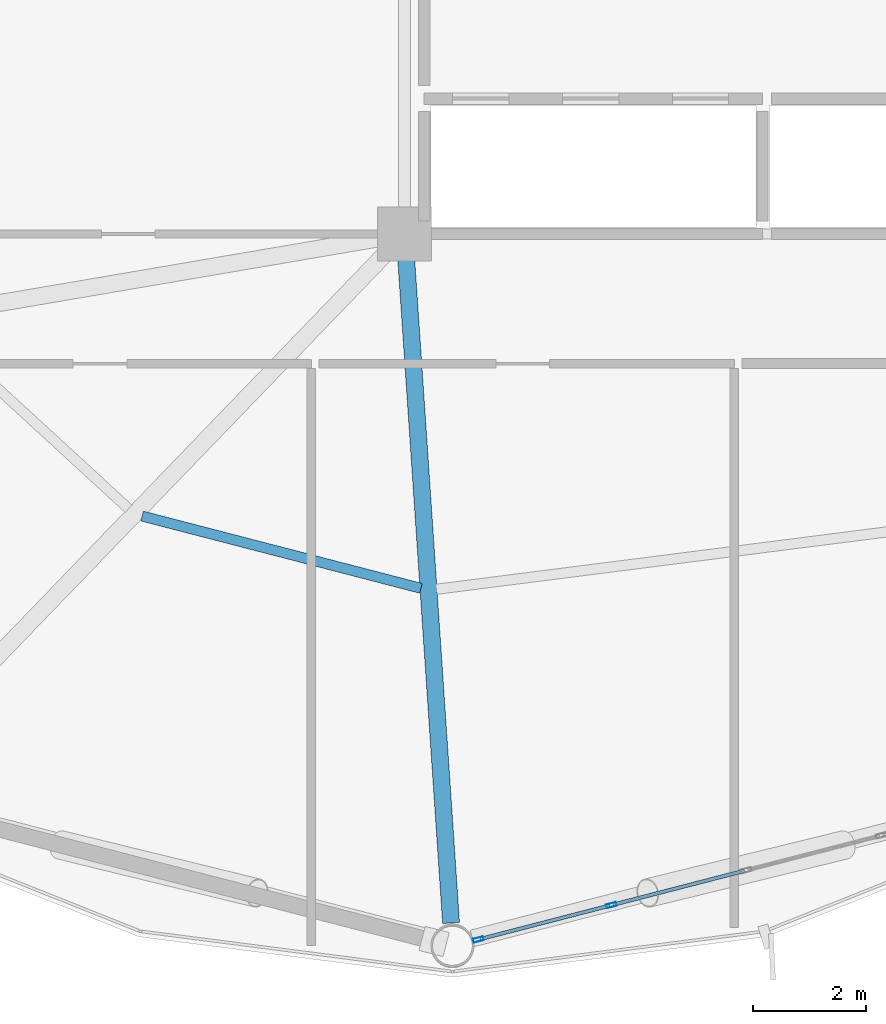
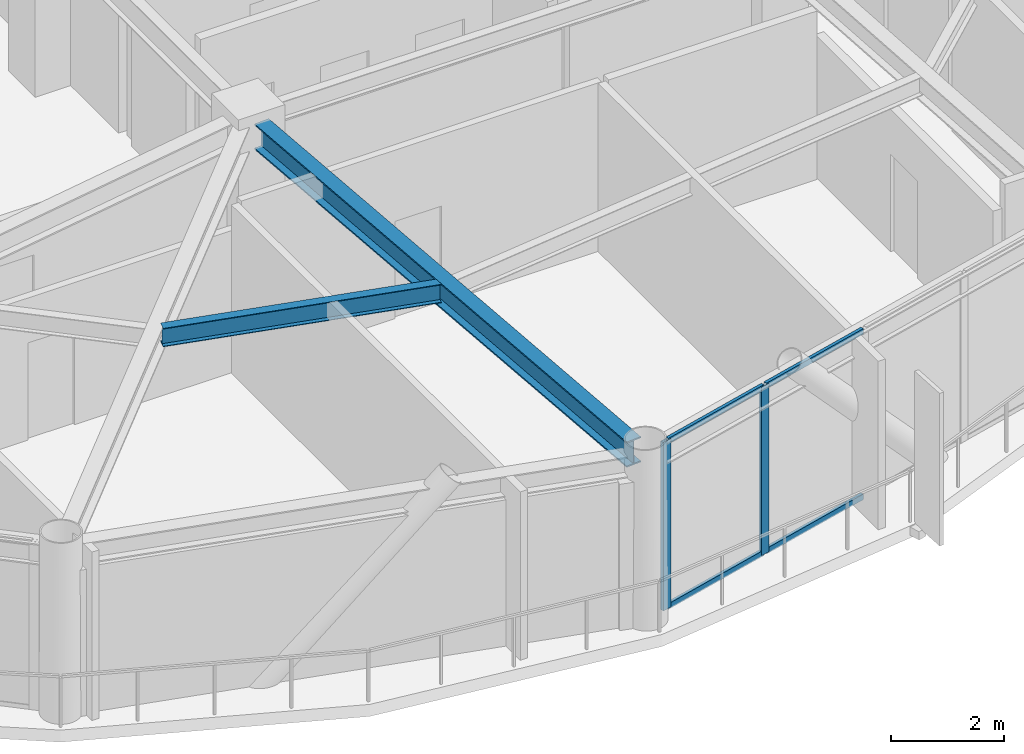
# One storey, part 7 of 26: 6 members, 2 beams, 1 element without a shape of its own.
"""IFC4 building model written with IfcOpenShell, lengths in metres."""

from ifc_helpers import new_model, si_unit, direction, frame, origin, origin_2d, place, context, subcontext, project, spatial, hollow_rectangle, i_section, extrude, material, layer, layer_set, material_profile, profile_set, type_object, element, aggregate, save


model = new_model("IFC4")

# Units and contexts
model_context = context("Model", 3, precision=1e-05, world=origin(), true_north=direction((0.0, 1.0)))
body_context = subcontext(model_context, "Body", "Model", "MODEL_VIEW")
ifc_project = project(units=[si_unit("LENGTHUNIT", "METRE"), si_unit("AREAUNIT", "SQUARE_METRE"), si_unit("VOLUMEUNIT", "CUBIC_METRE"), si_unit("PLANEANGLEUNIT", "RADIAN"), si_unit("MASSUNIT", "GRAM", prefix="KILO")], contexts=[model_context])

# Site, building, storey
site_placement = place(None, origin())
site = spatial("IfcSite", under=ifc_project, at=site_placement, CompositionType="ELEMENT")
building_placement = place(site_placement, origin())
building = spatial("IfcBuilding", under=site, at=building_placement, Name="Varnakorn Sky Granary", CompositionType="ELEMENT")
storey_placement = place(building_placement, frame((0.0, 0.0, 138.300048828125)))
storey = spatial("IfcBuildingStorey", under=building, at=storey_placement, Name="L34", CompositionType="ELEMENT", Elevation=138.300048828125)

# Beams
ifc_material_1 = material(Name="Steel S355JR", Category="steel")
ifc_material_profile_1 = material_profile(ifc_material_1, i_section(OverallWidth=0.300048828125, OverallDepth=0.550048828125, WebThickness=0.014892578125, FlangeThickness=0.029052734375, at=origin_2d()), Name="HE 550 B")
ifc_profile_set_1 = profile_set([ifc_material_profile_1], Name="Steel S355JR")
beam_type_1 = type_object("IfcBeamType", Name="BM-RAD-Z3", PredefinedType="BEAM", material=ifc_profile_set_1)
beam_1_placement = place(storey_placement, frame((-2.32177734375, -7.01904296875, 3.364990234375), z_axis=(0.067405526481, -0.997725661191, 0.0), x_axis=(0.997725661191, 0.067405526481, 0.0)))
element("IfcBeam", 1, at=beam_1_placement, inside=storey, type_object=beam_type_1, Name="Radial Floor Girder RG10 L34", PredefinedType="BEAM", context=body_context, shape_type="SweptSolid", body=[
    extrude(i_section(OverallWidth=0.300048828125, OverallDepth=0.550048828125, WebThickness=0.014892578125, FlangeThickness=0.029052734375, at=origin_2d()), origin(), (0.0, 0.0, 1.0), 11.82568359375),
])
ifc_material_profile_2 = material_profile(ifc_material_1, i_section(OverallWidth=0.179931640625, OverallDepth=0.39990234375, WebThickness=0.008544921875, FlangeThickness=0.013427734375, at=origin_2d()), Name="IPE 400")
ifc_profile_set_2 = profile_set([ifc_material_profile_2], Name="Steel S355JR")
beam_type_2 = type_object("IfcBeamType", Name="BM-SEC-Z3", PredefinedType="BEAM", material=ifc_profile_set_2)
beam_2_placement = place(storey_placement, frame((-7.003662109375, -11.6025390625, 3.43994140625), z_axis=(0.968058361837, -0.250724965006, 0.0), x_axis=(0.250724965006, 0.968058361837, 0.0)))
element("IfcBeam", 2, at=beam_2_placement, inside=storey, type_object=beam_type_2, Name="Secondary Floor Chord Beam MSB09 L34", PredefinedType="BEAM", context=body_context, shape_type="SweptSolid", body=[
    extrude(i_section(OverallWidth=0.179931640625, OverallDepth=0.39990234375, WebThickness=0.008544921875, FlangeThickness=0.013427734375, at=origin_2d()), origin(), (0.0, 0.0, 1.0), 5.108154296875),
])

# Curtain wall, members
ifc_material_2 = material(Name="Anodised Bronze Aluminium Alloy 6063-T6", Category="aluminium")
ifc_layer = layer(ifc_material_2, 0.179931640625, Name="Anodised Bronze Aluminium Alloy 6063-T6")
ifc_layer_set = layer_set([ifc_layer], Name="Anodised Bronze Aluminium Alloy 6063-T6")
curtain_wall_type = type_object("IfcCurtainWallType", Name="CW-FRM-2", PredefinedType="USERDEFINED", material=ifc_layer_set)
curtain_wall_placement = place(storey_placement, origin())
curtain_wall = element("IfcCurtainWall", 3, at=curtain_wall_placement, inside=storey, type_object=curtain_wall_type, Name="Unitised Curtain Wall CW4 CW-L34-B10", ObjectType="CURTAIN WALL", PredefinedType="USERDEFINED")
ifc_material_profile_3 = material_profile(ifc_material_2, hollow_rectangle(XDim=0.070068359375, YDim=0.18505859375, WallThickness=0.00390625, at=origin_2d()), Name="ALU MULL 70x185")
ifc_profile_set_3 = profile_set([ifc_material_profile_3], Name="Anodised Bronze Aluminium Alloy 6063-T6")
member_type_1 = type_object("IfcMemberType", Name="CW-FRM-2-MULL", PredefinedType="MULLION", material=ifc_profile_set_3)
member_1_placement = place(storey_placement, frame((1.319580078125, -18.50244140625, 0.0), z_axis=(0.0, 0.0, 1.0), x_axis=(0.250174194808, -0.968200842931, 0.0)))
member_1 = element("IfcMember", 4, at=member_1_placement, type_object=member_type_1, Name="CW4 mullion 4", PredefinedType="MULLION", context=body_context, shape_type="SweptSolid", body=[
    extrude(hollow_rectangle(XDim=0.070068359375, YDim=0.18505859375, WallThickness=0.00390625, at=origin_2d()), origin(), (0.0, 0.0, 1.0), 3.639892578125),
])
member_2_placement = place(storey_placement, frame((-1.0390625, -19.112060546875, 0.0), z_axis=(0.0, 0.0, 1.0), x_axis=(0.250174194808, -0.968200842931, 0.0)))
member_2 = element("IfcMember", 5, at=member_2_placement, type_object=member_type_1, Name="CW4 mullion 5", PredefinedType="MULLION", context=body_context, shape_type="SweptSolid", body=[
    extrude(hollow_rectangle(XDim=0.070068359375, YDim=0.18505859375, WallThickness=0.00390625, at=origin_2d()), origin(), (0.0, 0.0, 1.0), 3.639892578125),
])
ifc_material_profile_4 = material_profile(ifc_material_2, hollow_rectangle(XDim=0.06494140625, YDim=0.1201171875, WallThickness=0.00341796875, at=origin_2d()), Name="ALU TRAN 65x120")
ifc_profile_set_4 = profile_set([ifc_material_profile_4], Name="Anodised Bronze Aluminium Alloy 6063-T6")
member_type_2 = type_object("IfcMemberType", Name="CW-FRM-2-TRAN", PredefinedType="USERDEFINED", material=ifc_profile_set_4)
member_3_placement = place(storey_placement, frame((3.67822265625, -17.89306640625, 0.032470703125), z_axis=(-0.968216986994, -0.250111707236, 0.0), x_axis=(0.250111707236, -0.968216986994, 0.0)))
member_3 = element("IfcMember", 6, at=member_3_placement, type_object=member_type_2, Name="CW4 transom 3.1", ObjectType="TRANSOM", PredefinedType="USERDEFINED", context=body_context, shape_type="SweptSolid", body=[
    extrude(hollow_rectangle(XDim=0.06494140625, YDim=0.1201171875, WallThickness=0.00341796875, at=origin_2d()), origin(), (0.0, 0.0, 1.0), 2.4013671875),
])
member_4_placement = place(storey_placement, frame((3.67822265625, -17.89306640625, 3.607421875), z_axis=(-0.968216986994, -0.250111707236, 0.0), x_axis=(0.250111707236, -0.968216986994, 0.0)))
member_4 = element("IfcMember", 7, at=member_4_placement, type_object=member_type_2, Name="CW4 transom 3.2", ObjectType="TRANSOM", PredefinedType="USERDEFINED", context=body_context, shape_type="SweptSolid", body=[
    extrude(hollow_rectangle(XDim=0.06494140625, YDim=0.1201171875, WallThickness=0.00341796875, at=origin_2d()), origin(), (0.0, 0.0, 1.0), 2.4013671875),
])
member_5_placement = place(storey_placement, frame((1.28564453125, -18.51123046875, 0.032470703125), z_axis=(-0.968187868025, -0.250224403705, 0.0), x_axis=(0.250224403705, -0.968187868025, 0.0)))
member_5 = element("IfcMember", 8, at=member_5_placement, type_object=member_type_2, Name="CW4 transom 4.1", ObjectType="TRANSOM", PredefinedType="USERDEFINED", context=body_context, shape_type="SweptSolid", body=[
    extrude(hollow_rectangle(XDim=0.06494140625, YDim=0.1201171875, WallThickness=0.00341796875, at=origin_2d()), origin(), (0.0, 0.0, 1.0), 2.365966796875),
])
member_6_placement = place(storey_placement, frame((1.28564453125, -18.51123046875, 3.607421875), z_axis=(-0.968187868025, -0.250224403705, 0.0), x_axis=(0.250224403705, -0.968187868025, 0.0)))
member_6 = element("IfcMember", 9, at=member_6_placement, type_object=member_type_2, Name="CW4 transom 4.2", ObjectType="TRANSOM", PredefinedType="USERDEFINED", context=body_context, shape_type="SweptSolid", body=[
    extrude(hollow_rectangle(XDim=0.06494140625, YDim=0.1201171875, WallThickness=0.00341796875, at=origin_2d()), origin(), (0.0, 0.0, 1.0), 2.365966796875),
])
aggregate(curtain_wall, [member_1, member_2, member_3, member_4, member_5, member_6])

save(model, "model.ifc")
